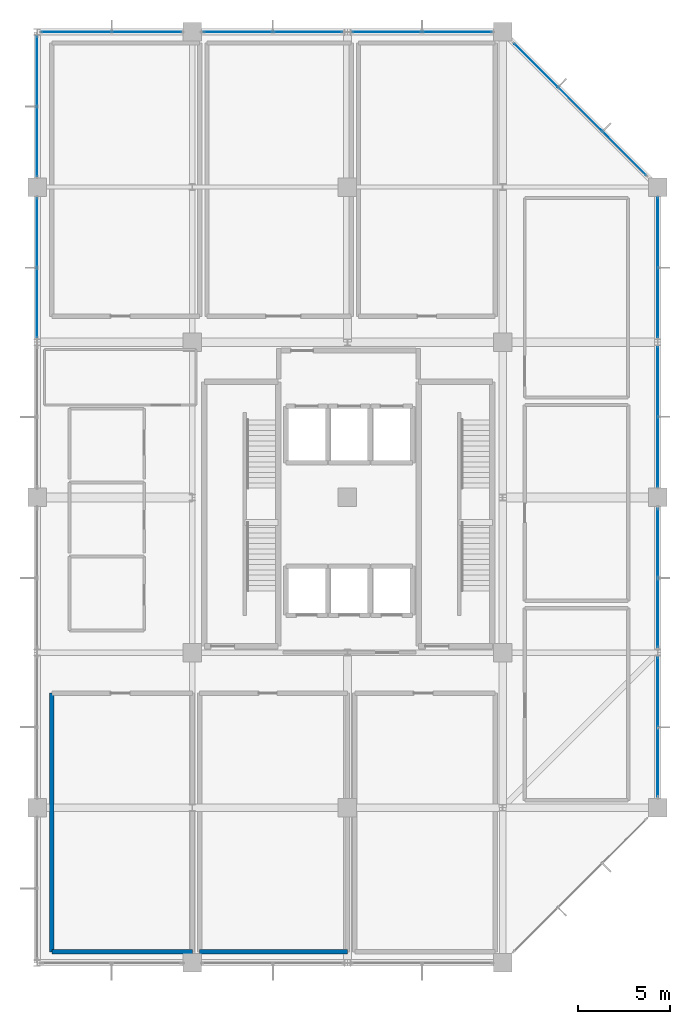
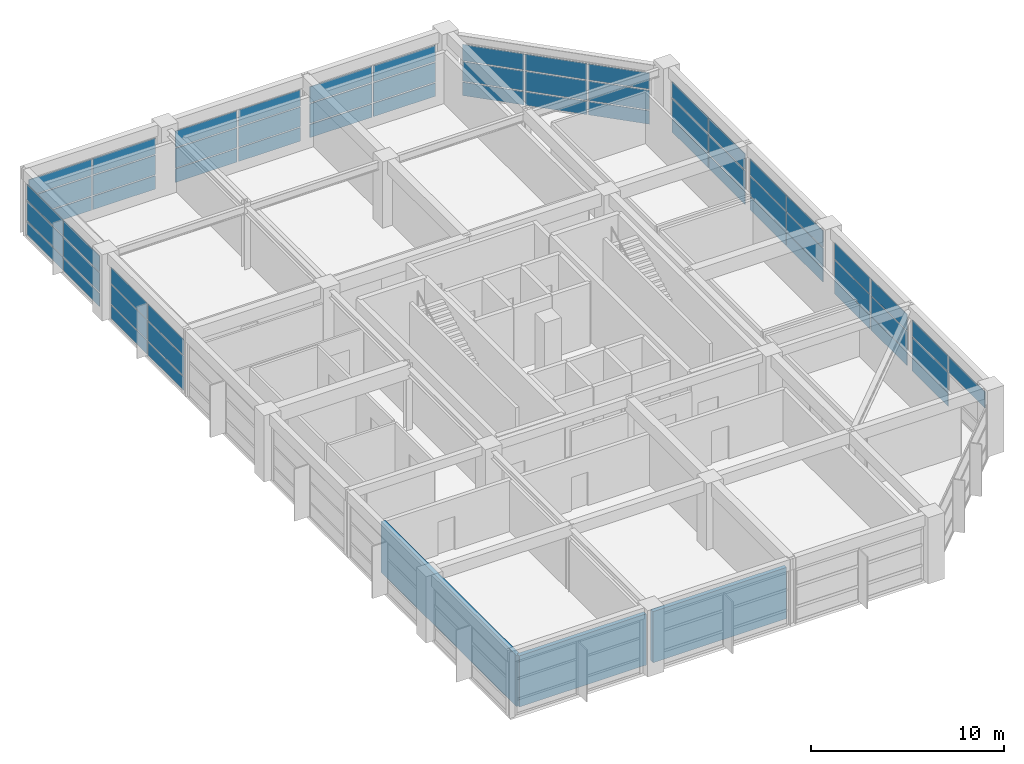
# One storey, part 11 of 15: 61 plates, 3 walls, 10 elements without a shape of their own.
"""IFC4 building model written with IfcOpenShell, lengths in metres."""

from ifc_helpers import new_model, si_unit, direction, frame, frame_2d, origin, origin_2d, place, context, subcontext, project, spatial, rectangle, extrude, material, layer, layer_set, type_object, element, aggregate, save


model = new_model("IFC4")

# Units and contexts
model_context = context("Model", 3, precision=1e-05, world=origin(), true_north=direction((0.0, 1.0)))
body_context = subcontext(model_context, "Body", "Model", "MODEL_VIEW")
ifc_project = project(units=[si_unit("LENGTHUNIT", "METRE"), si_unit("AREAUNIT", "SQUARE_METRE"), si_unit("VOLUMEUNIT", "CUBIC_METRE"), si_unit("PLANEANGLEUNIT", "RADIAN"), si_unit("MASSUNIT", "GRAM", prefix="KILO")], contexts=[model_context])

# Site, building, storey
site_placement = place(None, origin())
site = spatial("IfcSite", under=ifc_project, at=site_placement, CompositionType="ELEMENT")
building_placement = place(site_placement, origin())
building = spatial("IfcBuilding", under=site, at=building_placement, Name="Xuanlan Plaza Opera House", CompositionType="ELEMENT")
storey_placement = place(building_placement, frame((0.0, 0.0, 53.10009765625)))
storey = spatial("IfcBuildingStorey", under=building, at=storey_placement, Name="L12", CompositionType="ELEMENT", Elevation=53.10009765625)

# Curtain wall, plates
ifc_material_1 = material(Name="Anodised Aluminium 6063-T6 and Low-E Glass", Category="aluminium")
curtain_wall_type_1 = type_object("IfcCurtainWallType", Name="ENV-CW-CW-03", PredefinedType="USERDEFINED", material=ifc_material_1)
curtain_wall_1_placement = place(storey_placement, origin())
curtain_wall_1 = element("IfcCurtainWall", 1, at=curtain_wall_1_placement, inside=storey, type_object=curtain_wall_type_1, Name="Unitised Curtain Wall L12-009", ObjectType="UNITISED CURTAIN WALL", PredefinedType="USERDEFINED")
ifc_material_2 = material(Name="Laminated Acoustic Double Glazing", Category="glass")
ifc_layer_1 = layer(ifc_material_2, 0.028076171875)
ifc_layer_set_1 = layer_set([ifc_layer_1], Name="Laminated Acoustic Double Glazing")
plate_type_1 = type_object("IfcPlateType", Name="ENV-CWP-01", PredefinedType="CURTAIN_PANEL", material=ifc_layer_set_1)
plate_1_placement = place(storey_placement, frame((157.787353515625, 77.41259765625, 0.06982421875), z_axis=(0.0, 0.0, 1.0), x_axis=(-0.707106781187, 0.707106781187, 0.0)))
plate_1 = element("IfcPlate", 2, at=plate_1_placement, type_object=plate_type_1, Name="CW-03 panel 1.1", PredefinedType="CURTAIN_PANEL", context=body_context, shape_type="SweptSolid", body=[
    extrude(rectangle(XDim=3.282470703125, YDim=0.028076171875, at=origin_2d()), origin(), (0.0, 0.0, 1.0), 0.844970703125),
])
plate_2_placement = place(storey_placement, frame((157.787353515625, 77.41259765625, 0.98486328125), z_axis=(0.0, 0.0, 1.0), x_axis=(-0.707106781187, 0.707106781187, 0.0)))
plate_2 = element("IfcPlate", 3, at=plate_2_placement, type_object=plate_type_1, Name="CW-03 panel 1.2", PredefinedType="CURTAIN_PANEL", context=body_context, shape_type="SweptSolid", body=[
    extrude(rectangle(XDim=3.282470703125, YDim=0.028076171875, at=origin_2d()), origin(), (0.0, 0.0, 1.0), 1.22998046875),
])
plate_3_placement = place(storey_placement, frame((157.787353515625, 77.41259765625, 2.284912109375), z_axis=(0.0, 0.0, 1.0), x_axis=(-0.707106781187, 0.707106781187, 0.0)))
plate_3 = element("IfcPlate", 4, at=plate_3_placement, type_object=plate_type_1, Name="CW-03 panel 1.3", PredefinedType="CURTAIN_PANEL", context=body_context, shape_type="SweptSolid", body=[
    extrude(rectangle(XDim=3.282470703125, YDim=0.028076171875, at=origin_2d()), origin(), (0.0, 0.0, 1.0), 1.02490234375),
])
plate_4_placement = place(storey_placement, frame((155.39990234375, 79.800048828125, 0.06982421875), z_axis=(0.0, 0.0, 1.0), x_axis=(-0.707106781187, 0.707106781187, 0.0)))
plate_4 = element("IfcPlate", 5, at=plate_4_placement, type_object=plate_type_1, Name="CW-03 panel 2.1", PredefinedType="CURTAIN_PANEL", context=body_context, shape_type="SweptSolid", body=[
    extrude(rectangle(XDim=3.320068359375, YDim=0.028076171875, at=origin_2d()), origin(), (0.0, 0.0, 1.0), 0.844970703125),
])
plate_5_placement = place(storey_placement, frame((155.39990234375, 79.800048828125, 0.98486328125), z_axis=(0.0, 0.0, 1.0), x_axis=(-0.707106781187, 0.707106781187, 0.0)))
plate_5 = element("IfcPlate", 6, at=plate_5_placement, type_object=plate_type_1, Name="CW-03 panel 2.2", PredefinedType="CURTAIN_PANEL", context=body_context, shape_type="SweptSolid", body=[
    extrude(rectangle(XDim=3.320068359375, YDim=0.028076171875, at=origin_2d()), origin(), (0.0, 0.0, 1.0), 1.22998046875),
])
plate_6_placement = place(storey_placement, frame((155.39990234375, 79.800048828125, 2.284912109375), z_axis=(0.0, 0.0, 1.0), x_axis=(-0.707106781187, 0.707106781187, 0.0)))
plate_6 = element("IfcPlate", 7, at=plate_6_placement, type_object=plate_type_1, Name="CW-03 panel 2.3", PredefinedType="CURTAIN_PANEL", context=body_context, shape_type="SweptSolid", body=[
    extrude(rectangle(XDim=3.320068359375, YDim=0.028076171875, at=origin_2d()), origin(), (0.0, 0.0, 1.0), 1.02490234375),
])
plate_7_placement = place(storey_placement, frame((153.0126953125, 82.1875, 0.06982421875), z_axis=(0.0, 0.0, 1.0), x_axis=(-0.707106781187, 0.707106781187, 0.0)))
plate_7 = element("IfcPlate", 8, at=plate_7_placement, type_object=plate_type_1, Name="CW-03 panel 3.1", PredefinedType="CURTAIN_PANEL", context=body_context, shape_type="SweptSolid", body=[
    extrude(rectangle(XDim=3.282470703125, YDim=0.028076171875, at=origin_2d()), origin(), (0.0, 0.0, 1.0), 0.844970703125),
])
plate_8_placement = place(storey_placement, frame((153.0126953125, 82.1875, 0.98486328125), z_axis=(0.0, 0.0, 1.0), x_axis=(-0.707106781187, 0.707106781187, 0.0)))
plate_8 = element("IfcPlate", 9, at=plate_8_placement, type_object=plate_type_1, Name="CW-03 panel 3.2", PredefinedType="CURTAIN_PANEL", context=body_context, shape_type="SweptSolid", body=[
    extrude(rectangle(XDim=3.282470703125, YDim=0.028076171875, at=origin_2d()), origin(), (0.0, 0.0, 1.0), 1.22998046875),
])
plate_9_placement = place(storey_placement, frame((153.0126953125, 82.1875, 2.284912109375), z_axis=(0.0, 0.0, 1.0), x_axis=(-0.707106781187, 0.707106781187, 0.0)))
plate_9 = element("IfcPlate", 10, at=plate_9_placement, type_object=plate_type_1, Name="CW-03 panel 3.3", PredefinedType="CURTAIN_PANEL", context=body_context, shape_type="SweptSolid", body=[
    extrude(rectangle(XDim=3.282470703125, YDim=0.028076171875, at=origin_2d()), origin(), (0.0, 0.0, 1.0), 1.02490234375),
])
aggregate(curtain_wall_1, [plate_1, plate_2, plate_3, plate_4, plate_5, plate_6, plate_7, plate_8, plate_9])

curtain_wall_type_2 = type_object("IfcCurtainWallType", Name="ENV-CW-CW-04", PredefinedType="USERDEFINED", material=ifc_material_1)
curtain_wall_2_placement = place(storey_placement, origin())
curtain_wall_2 = element("IfcCurtainWall", 11, at=curtain_wall_2_placement, inside=storey, type_object=curtain_wall_type_2, Name="Unitised Curtain Wall L12-014", ObjectType="UNITISED CURTAIN WALL", PredefinedType="USERDEFINED")
plate_10_placement = place(storey_placement, frame((126.0, 73.139892578125, 0.06982421875), z_axis=(0.0, 0.0, 1.0), x_axis=(0.0, -1.0, 0.0)))
plate_10 = element("IfcPlate", 12, at=plate_10_placement, type_object=plate_type_1, Name="CW-04 panel 1.1", PredefinedType="CURTAIN_PANEL", context=body_context, shape_type="SweptSolid", body=[
    extrude(rectangle(XDim=3.72998046875, YDim=0.028076171875, at=origin_2d()), origin(), (0.0, 0.0, 1.0), 0.844970703125),
])
plate_11_placement = place(storey_placement, frame((126.0, 73.139892578125, 0.98486328125), z_axis=(0.0, 0.0, 1.0), x_axis=(0.0, -1.0, 0.0)))
plate_11 = element("IfcPlate", 13, at=plate_11_placement, type_object=plate_type_1, Name="CW-04 panel 1.2", PredefinedType="CURTAIN_PANEL", context=body_context, shape_type="SweptSolid", body=[
    extrude(rectangle(XDim=3.72998046875, YDim=0.028076171875, at=origin_2d()), origin(), (0.0, 0.0, 1.0), 1.22998046875),
])
plate_12_placement = place(storey_placement, frame((126.0, 73.139892578125, 2.284912109375), z_axis=(0.0, 0.0, 1.0), x_axis=(0.0, -1.0, 0.0)))
plate_12 = element("IfcPlate", 14, at=plate_12_placement, type_object=plate_type_1, Name="CW-04 panel 1.3", PredefinedType="CURTAIN_PANEL", context=body_context, shape_type="SweptSolid", body=[
    extrude(rectangle(XDim=3.72998046875, YDim=0.028076171875, at=origin_2d()), origin(), (0.0, 0.0, 1.0), 1.02490234375),
])
plate_13_placement = place(storey_placement, frame((126.0, 69.3349609375, 0.06982421875), z_axis=(0.0, 0.0, 1.0), x_axis=(0.0, -1.0, 0.0)))
plate_13 = element("IfcPlate", 15, at=plate_13_placement, type_object=plate_type_1, Name="CW-04 panel 2.1", PredefinedType="CURTAIN_PANEL", context=body_context, shape_type="SweptSolid", body=[
    extrude(rectangle(XDim=3.72998046875, YDim=0.028076171875, at=origin_2d()), origin(), (0.0, 0.0, 1.0), 0.844970703125),
])
plate_14_placement = place(storey_placement, frame((126.0, 69.3349609375, 0.98486328125), z_axis=(0.0, 0.0, 1.0), x_axis=(0.0, -1.0, 0.0)))
plate_14 = element("IfcPlate", 16, at=plate_14_placement, type_object=plate_type_1, Name="CW-04 panel 2.2", PredefinedType="CURTAIN_PANEL", context=body_context, shape_type="SweptSolid", body=[
    extrude(rectangle(XDim=3.72998046875, YDim=0.028076171875, at=origin_2d()), origin(), (0.0, 0.0, 1.0), 1.22998046875),
])
plate_15_placement = place(storey_placement, frame((126.0, 69.3349609375, 2.284912109375), z_axis=(0.0, 0.0, 1.0), x_axis=(0.0, -1.0, 0.0)))
plate_15 = element("IfcPlate", 17, at=plate_15_placement, type_object=plate_type_1, Name="CW-04 panel 2.3", PredefinedType="CURTAIN_PANEL", context=body_context, shape_type="SweptSolid", body=[
    extrude(rectangle(XDim=3.72998046875, YDim=0.028076171875, at=origin_2d()), origin(), (0.0, 0.0, 1.0), 1.02490234375),
])
aggregate(curtain_wall_2, [plate_10, plate_11, plate_12, plate_13, plate_14, plate_15])

curtain_wall_3_placement = place(storey_placement, origin())
curtain_wall_3 = element("IfcCurtainWall", 18, at=curtain_wall_3_placement, inside=storey, type_object=curtain_wall_type_2, Name="Unitised Curtain Wall L12-006", ObjectType="UNITISED CURTAIN WALL", PredefinedType="USERDEFINED")
ifc_layer_2 = layer(ifc_material_2, 0.031982421875)
ifc_layer_set_2 = layer_set([ifc_layer_2], Name="Laminated Acoustic Double Glazing")
plate_type_2 = type_object("IfcPlateType", Name="ENV-CWP-02", PredefinedType="CURTAIN_PANEL", material=ifc_layer_set_2)
plate_16_placement = place(storey_placement, frame((159.60009765625, 52.538818359375, 0.06494140625), z_axis=(0.0, 0.0, 1.0), x_axis=(0.0, 1.0, 0.0)))
plate_16 = element("IfcPlate", 19, at=plate_16_placement, type_object=plate_type_2, Name="CW-04 panel 1.1", PredefinedType="CURTAIN_PANEL", context=body_context, shape_type="SweptSolid", body=[
    extrude(rectangle(XDim=3.70751953125, YDim=0.031982421875, at=origin_2d()), origin(), (0.0, 0.0, 1.0), 0.8525390625),
])
plate_17_placement = place(storey_placement, frame((159.60009765625, 52.538818359375, 0.982421875), z_axis=(0.0, 0.0, 1.0), x_axis=(0.0, 1.0, 0.0)))
plate_17 = element("IfcPlate", 20, at=plate_17_placement, type_object=plate_type_2, Name="CW-04 panel 1.2", PredefinedType="CURTAIN_PANEL", context=body_context, shape_type="SweptSolid", body=[
    extrude(rectangle(XDim=3.70751953125, YDim=0.031982421875, at=origin_2d()), origin(), (0.0, 0.0, 1.0), 1.235107421875),
])
plate_18_placement = place(storey_placement, frame((159.60009765625, 52.538818359375, 2.2822265625), z_axis=(0.0, 0.0, 1.0), x_axis=(0.0, 1.0, 0.0)))
plate_18 = element("IfcPlate", 21, at=plate_18_placement, type_object=plate_type_2, Name="CW-04 panel 1.3", PredefinedType="CURTAIN_PANEL", context=body_context, shape_type="SweptSolid", body=[
    extrude(rectangle(XDim=3.70751953125, YDim=0.031982421875, at=origin_2d()), origin(), (0.0, 0.0, 1.0), 1.032470703125),
])
plate_19_placement = place(storey_placement, frame((159.60009765625, 56.336181640625, 0.06494140625), z_axis=(0.0, 0.0, 1.0), x_axis=(0.0, 1.0, 0.0)))
plate_19 = element("IfcPlate", 22, at=plate_19_placement, type_object=plate_type_2, Name="CW-04 panel 2.1", PredefinedType="CURTAIN_PANEL", context=body_context, shape_type="SweptSolid", body=[
    extrude(rectangle(XDim=3.70751953125, YDim=0.031982421875, at=origin_2d()), origin(), (0.0, 0.0, 1.0), 0.8525390625),
])
plate_20_placement = place(storey_placement, frame((159.60009765625, 56.336181640625, 0.982421875), z_axis=(0.0, 0.0, 1.0), x_axis=(0.0, 1.0, 0.0)))
plate_20 = element("IfcPlate", 23, at=plate_20_placement, type_object=plate_type_2, Name="CW-04 panel 2.2", PredefinedType="CURTAIN_PANEL", context=body_context, shape_type="SweptSolid", body=[
    extrude(rectangle(XDim=3.70751953125, YDim=0.031982421875, at=origin_2d()), origin(), (0.0, 0.0, 1.0), 1.235107421875),
])
plate_21_placement = place(storey_placement, frame((159.60009765625, 56.336181640625, 2.2822265625), z_axis=(0.0, 0.0, 1.0), x_axis=(0.0, 1.0, 0.0)))
plate_21 = element("IfcPlate", 24, at=plate_21_placement, type_object=plate_type_2, Name="CW-04 panel 2.3", PredefinedType="CURTAIN_PANEL", context=body_context, shape_type="SweptSolid", body=[
    extrude(rectangle(XDim=3.70751953125, YDim=0.031982421875, at=origin_2d()), origin(), (0.0, 0.0, 1.0), 1.032470703125),
])
aggregate(curtain_wall_3, [plate_16, plate_17, plate_18, plate_19, plate_20, plate_21])

curtain_wall_type_3 = type_object("IfcCurtainWallType", Name="ENV-CW-CW-01", PredefinedType="USERDEFINED", material=ifc_material_1)
curtain_wall_4_placement = place(storey_placement, origin())
curtain_wall_4 = element("IfcCurtainWall", 25, at=curtain_wall_4_placement, inside=storey, type_object=curtain_wall_type_3, Name="Unitised Curtain Wall L12-011", ObjectType="UNITISED CURTAIN WALL", PredefinedType="USERDEFINED")
plate_22_placement = place(storey_placement, frame((140.6611328125, 84.0, 0.06494140625), z_axis=(0.0, 0.0, 1.0), x_axis=(-1.0, 0.0, 0.0)))
plate_22 = element("IfcPlate", 26, at=plate_22_placement, type_object=plate_type_2, Name="CW-01 panel 1.1", PredefinedType="CURTAIN_PANEL", context=body_context, shape_type="SweptSolid", body=[
    extrude(rectangle(XDim=3.70751953125, YDim=0.031982421875, at=origin_2d()), origin(), (0.0, 0.0, 1.0), 0.8525390625),
])
plate_23_placement = place(storey_placement, frame((140.6611328125, 84.0, 0.982421875), z_axis=(0.0, 0.0, 1.0), x_axis=(-1.0, 0.0, 0.0)))
plate_23 = element("IfcPlate", 27, at=plate_23_placement, type_object=plate_type_2, Name="CW-01 panel 1.2", PredefinedType="CURTAIN_PANEL", context=body_context, shape_type="SweptSolid", body=[
    extrude(rectangle(XDim=3.70751953125, YDim=0.031982421875, at=origin_2d()), origin(), (0.0, 0.0, 1.0), 1.235107421875),
])
plate_24_placement = place(storey_placement, frame((140.6611328125, 84.0, 2.2822265625), z_axis=(0.0, 0.0, 1.0), x_axis=(-1.0, 0.0, 0.0)))
plate_24 = element("IfcPlate", 28, at=plate_24_placement, type_object=plate_type_2, Name="CW-01 panel 1.3", PredefinedType="CURTAIN_PANEL", context=body_context, shape_type="SweptSolid", body=[
    extrude(rectangle(XDim=3.70751953125, YDim=0.031982421875, at=origin_2d()), origin(), (0.0, 0.0, 1.0), 1.032470703125),
])
plate_25_placement = place(storey_placement, frame((136.86376953125, 84.0, 0.06494140625), z_axis=(0.0, 0.0, 1.0), x_axis=(-1.0, 0.0, 0.0)))
plate_25 = element("IfcPlate", 29, at=plate_25_placement, type_object=plate_type_2, Name="CW-01 panel 2.1", PredefinedType="CURTAIN_PANEL", context=body_context, shape_type="SweptSolid", body=[
    extrude(rectangle(XDim=3.70751953125, YDim=0.031982421875, at=origin_2d()), origin(), (0.0, 0.0, 1.0), 0.8525390625),
])
plate_26_placement = place(storey_placement, frame((136.86376953125, 84.0, 0.982421875), z_axis=(0.0, 0.0, 1.0), x_axis=(-1.0, 0.0, 0.0)))
plate_26 = element("IfcPlate", 30, at=plate_26_placement, type_object=plate_type_2, Name="CW-01 panel 2.2", PredefinedType="CURTAIN_PANEL", context=body_context, shape_type="SweptSolid", body=[
    extrude(rectangle(XDim=3.70751953125, YDim=0.031982421875, at=origin_2d()), origin(), (0.0, 0.0, 1.0), 1.235107421875),
])
plate_27_placement = place(storey_placement, frame((136.86376953125, 84.0, 2.2822265625), z_axis=(0.0, 0.0, 1.0), x_axis=(-1.0, 0.0, 0.0)))
plate_27 = element("IfcPlate", 31, at=plate_27_placement, type_object=plate_type_2, Name="CW-01 panel 2.3", PredefinedType="CURTAIN_PANEL", context=body_context, shape_type="SweptSolid", body=[
    extrude(rectangle(XDim=3.70751953125, YDim=0.031982421875, at=origin_2d()), origin(), (0.0, 0.0, 1.0), 1.032470703125),
])
aggregate(curtain_wall_4, [plate_22, plate_23, plate_24, plate_25, plate_26, plate_27])

curtain_wall_type_4 = type_object("IfcCurtainWallType", Name="ENV-CW-CW-02", PredefinedType="USERDEFINED", material=ifc_material_1)
curtain_wall_5_placement = place(storey_placement, origin())
curtain_wall_5 = element("IfcCurtainWall", 32, at=curtain_wall_5_placement, inside=storey, type_object=curtain_wall_type_4, Name="Unitised Curtain Wall L12-008", ObjectType="UNITISED CURTAIN WALL", PredefinedType="USERDEFINED")
ifc_layer_3 = layer(ifc_material_2, 0.035888671875)
ifc_layer_set_3 = layer_set([ifc_layer_3], Name="Laminated Acoustic Double Glazing")
plate_type_3 = type_object("IfcPlateType", Name="ENV-CWP-03", PredefinedType="CURTAIN_PANEL", material=ifc_layer_set_3)
plate_28_placement = place(storey_placement, frame((159.60009765625, 69.333740234375, 0.08984375), z_axis=(0.0, 0.0, 1.0), x_axis=(0.0, 1.0, 0.0)))
plate_28 = element("IfcPlate", 33, at=plate_28_placement, type_object=plate_type_3, Name="CW-02 panel 1.1", PredefinedType="CURTAIN_PANEL", context=body_context, shape_type="SweptSolid", body=[
    extrude(rectangle(XDim=3.737548828125, YDim=0.035888671875, at=origin_2d()), origin(), (0.0, 0.0, 1.0), 0.81494140625),
])
plate_29_placement = place(storey_placement, frame((159.60009765625, 69.333740234375, 0.994873046875), z_axis=(0.0, 0.0, 1.0), x_axis=(0.0, 1.0, 0.0)))
plate_29 = element("IfcPlate", 34, at=plate_29_placement, type_object=plate_type_3, Name="CW-02 panel 1.2", PredefinedType="CURTAIN_PANEL", context=body_context, shape_type="SweptSolid", body=[
    extrude(rectangle(XDim=3.737548828125, YDim=0.035888671875, at=origin_2d()), origin(), (0.0, 0.0, 1.0), 1.2099609375),
])
plate_30_placement = place(storey_placement, frame((159.60009765625, 69.333740234375, 2.294921875), z_axis=(0.0, 0.0, 1.0), x_axis=(0.0, 1.0, 0.0)))
plate_30 = element("IfcPlate", 35, at=plate_30_placement, type_object=plate_type_3, Name="CW-02 panel 1.3", PredefinedType="CURTAIN_PANEL", context=body_context, shape_type="SweptSolid", body=[
    extrude(rectangle(XDim=3.737548828125, YDim=0.035888671875, at=origin_2d()), origin(), (0.0, 0.0, 1.0), 0.9951171875),
])
plate_31_placement = place(storey_placement, frame((159.60009765625, 73.141357421875, 0.08984375), z_axis=(0.0, 0.0, 1.0), x_axis=(0.0, 1.0, 0.0)))
plate_31 = element("IfcPlate", 36, at=plate_31_placement, type_object=plate_type_3, Name="CW-02 panel 2.1", PredefinedType="CURTAIN_PANEL", context=body_context, shape_type="SweptSolid", body=[
    extrude(rectangle(XDim=3.737548828125, YDim=0.035888671875, at=origin_2d()), origin(), (0.0, 0.0, 1.0), 0.81494140625),
])
plate_32_placement = place(storey_placement, frame((159.60009765625, 73.141357421875, 0.994873046875), z_axis=(0.0, 0.0, 1.0), x_axis=(0.0, 1.0, 0.0)))
plate_32 = element("IfcPlate", 37, at=plate_32_placement, type_object=plate_type_3, Name="CW-02 panel 2.2", PredefinedType="CURTAIN_PANEL", context=body_context, shape_type="SweptSolid", body=[
    extrude(rectangle(XDim=3.737548828125, YDim=0.035888671875, at=origin_2d()), origin(), (0.0, 0.0, 1.0), 1.2099609375),
])
plate_33_placement = place(storey_placement, frame((159.60009765625, 73.141357421875, 2.294921875), z_axis=(0.0, 0.0, 1.0), x_axis=(0.0, 1.0, 0.0)))
plate_33 = element("IfcPlate", 38, at=plate_33_placement, type_object=plate_type_3, Name="CW-02 panel 2.3", PredefinedType="CURTAIN_PANEL", context=body_context, shape_type="SweptSolid", body=[
    extrude(rectangle(XDim=3.737548828125, YDim=0.035888671875, at=origin_2d()), origin(), (0.0, 0.0, 1.0), 0.9951171875),
])
aggregate(curtain_wall_5, [plate_28, plate_29, plate_30, plate_31, plate_32, plate_33])

curtain_wall_6_placement = place(storey_placement, origin())
curtain_wall_6 = element("IfcCurtainWall", 39, at=curtain_wall_6_placement, inside=storey, type_object=curtain_wall_type_1, Name="Unitised Curtain Wall L12-013", ObjectType="UNITISED CURTAIN WALL", PredefinedType="USERDEFINED")
plate_34_placement = place(storey_placement, frame((126.0, 81.8662109375, 0.08984375), z_axis=(0.0, 0.0, 1.0), x_axis=(0.0, -1.0, 0.0)))
plate_34 = element("IfcPlate", 40, at=plate_34_placement, type_object=plate_type_3, Name="CW-03 panel 1.1", PredefinedType="CURTAIN_PANEL", context=body_context, shape_type="SweptSolid", body=[
    extrude(rectangle(XDim=3.737548828125, YDim=0.035888671875, at=origin_2d()), origin(), (0.0, 0.0, 1.0), 0.81494140625),
])
plate_35_placement = place(storey_placement, frame((126.0, 81.8662109375, 0.994873046875), z_axis=(0.0, 0.0, 1.0), x_axis=(0.0, -1.0, 0.0)))
plate_35 = element("IfcPlate", 41, at=plate_35_placement, type_object=plate_type_3, Name="CW-03 panel 1.2", PredefinedType="CURTAIN_PANEL", context=body_context, shape_type="SweptSolid", body=[
    extrude(rectangle(XDim=3.737548828125, YDim=0.035888671875, at=origin_2d()), origin(), (0.0, 0.0, 1.0), 1.2099609375),
])
plate_36_placement = place(storey_placement, frame((126.0, 81.8662109375, 2.294921875), z_axis=(0.0, 0.0, 1.0), x_axis=(0.0, -1.0, 0.0)))
plate_36 = element("IfcPlate", 42, at=plate_36_placement, type_object=plate_type_3, Name="CW-03 panel 1.3", PredefinedType="CURTAIN_PANEL", context=body_context, shape_type="SweptSolid", body=[
    extrude(rectangle(XDim=3.737548828125, YDim=0.035888671875, at=origin_2d()), origin(), (0.0, 0.0, 1.0), 0.9951171875),
])
plate_37_placement = place(storey_placement, frame((126.0, 78.058837890625, 0.08984375), z_axis=(0.0, 0.0, 1.0), x_axis=(0.0, -1.0, 0.0)))
plate_37 = element("IfcPlate", 43, at=plate_37_placement, type_object=plate_type_3, Name="CW-03 panel 2.1", PredefinedType="CURTAIN_PANEL", context=body_context, shape_type="SweptSolid", body=[
    extrude(rectangle(XDim=3.737548828125, YDim=0.035888671875, at=origin_2d()), origin(), (0.0, 0.0, 1.0), 0.81494140625),
])
plate_38_placement = place(storey_placement, frame((126.0, 78.058837890625, 0.994873046875), z_axis=(0.0, 0.0, 1.0), x_axis=(0.0, -1.0, 0.0)))
plate_38 = element("IfcPlate", 44, at=plate_38_placement, type_object=plate_type_3, Name="CW-03 panel 2.2", PredefinedType="CURTAIN_PANEL", context=body_context, shape_type="SweptSolid", body=[
    extrude(rectangle(XDim=3.737548828125, YDim=0.035888671875, at=origin_2d()), origin(), (0.0, 0.0, 1.0), 1.2099609375),
])
plate_39_placement = place(storey_placement, frame((126.0, 78.058837890625, 2.294921875), z_axis=(0.0, 0.0, 1.0), x_axis=(0.0, -1.0, 0.0)))
plate_39 = element("IfcPlate", 45, at=plate_39_placement, type_object=plate_type_3, Name="CW-03 panel 2.3", PredefinedType="CURTAIN_PANEL", context=body_context, shape_type="SweptSolid", body=[
    extrude(rectangle(XDim=3.737548828125, YDim=0.035888671875, at=origin_2d()), origin(), (0.0, 0.0, 1.0), 0.9951171875),
])
aggregate(curtain_wall_6, [plate_34, plate_35, plate_36, plate_37, plate_38, plate_39])

curtain_wall_7_placement = place(storey_placement, origin())
curtain_wall_7 = element("IfcCurtainWall", 46, at=curtain_wall_7_placement, inside=storey, type_object=curtain_wall_type_1, Name="Unitised Curtain Wall L12-005", ObjectType="UNITISED CURTAIN WALL", PredefinedType="USERDEFINED")
ifc_layer_4 = layer(ifc_material_2, 0.0400390625)
ifc_layer_set_4 = layer_set([ifc_layer_4], Name="Laminated Acoustic Double Glazing")
plate_type_4 = type_object("IfcPlateType", Name="ENV-CWP-04", PredefinedType="CURTAIN_PANEL", material=ifc_layer_set_4)
plate_40_placement = place(storey_placement, frame((159.60009765625, 44.461181640625, 2.2900390625), z_axis=(0.0, 0.0, 1.0), x_axis=(0.0, 1.0, 0.0)))
plate_40 = element("IfcPlate", 47, at=plate_40_placement, type_object=plate_type_4, Name="CW-03 panel 1.3", PredefinedType="CURTAIN_PANEL", context=body_context, shape_type="SweptSolid", body=[
    extrude(rectangle(XDim=3.722412109375, YDim=0.0400390625, at=origin_2d()), origin(), (0.0, 0.0, 1.0), 1.010009765625),
])
plate_41_placement = place(storey_placement, frame((159.60009765625, 48.263671875, 0.079833984375), z_axis=(0.0, 0.0, 1.0), x_axis=(0.0, 1.0, 0.0)))
plate_41 = element("IfcPlate", 48, at=plate_41_placement, type_object=plate_type_4, Name="CW-03 panel 2.1", PredefinedType="CURTAIN_PANEL", context=body_context, shape_type="SweptSolid", body=[
    extrude(rectangle(XDim=3.722412109375, YDim=0.0400390625, at=origin_2d()), origin(), (0.0, 0.0, 1.0), 0.830078125),
])
plate_42_placement = place(storey_placement, frame((159.60009765625, 48.263671875, 0.98974609375), z_axis=(0.0, 0.0, 1.0), x_axis=(0.0, 1.0, 0.0)))
plate_42 = element("IfcPlate", 49, at=plate_42_placement, type_object=plate_type_4, Name="CW-03 panel 2.2", PredefinedType="CURTAIN_PANEL", context=body_context, shape_type="SweptSolid", body=[
    extrude(rectangle(XDim=3.722412109375, YDim=0.0400390625, at=origin_2d()), origin(), (0.0, 0.0, 1.0), 1.219970703125),
])
plate_43_placement = place(storey_placement, frame((159.60009765625, 48.263671875, 2.2900390625), z_axis=(0.0, 0.0, 1.0), x_axis=(0.0, 1.0, 0.0)))
plate_43 = element("IfcPlate", 50, at=plate_43_placement, type_object=plate_type_4, Name="CW-03 panel 2.3", PredefinedType="CURTAIN_PANEL", context=body_context, shape_type="SweptSolid", body=[
    extrude(rectangle(XDim=3.722412109375, YDim=0.0400390625, at=origin_2d()), origin(), (0.0, 0.0, 1.0), 1.010009765625),
])
aggregate(curtain_wall_7, [plate_40, plate_41, plate_42, plate_43])

curtain_wall_8_placement = place(storey_placement, origin())
curtain_wall_8 = element("IfcCurtainWall", 51, at=curtain_wall_8_placement, inside=storey, type_object=curtain_wall_type_2, Name="Unitised Curtain Wall L12-010", ObjectType="UNITISED CURTAIN WALL", PredefinedType="USERDEFINED")
plate_44_placement = place(storey_placement, frame((148.73876953125, 84.0, 0.079833984375), z_axis=(0.0, 0.0, 1.0), x_axis=(-1.0, 0.0, 0.0)))
plate_44 = element("IfcPlate", 52, at=plate_44_placement, type_object=plate_type_4, Name="CW-04 panel 1.1", PredefinedType="CURTAIN_PANEL", context=body_context, shape_type="SweptSolid", body=[
    extrude(rectangle(XDim=3.722412109375, YDim=0.0400390625, at=origin_2d()), origin(), (0.0, 0.0, 1.0), 0.830078125),
])
plate_45_placement = place(storey_placement, frame((148.73876953125, 84.0, 0.98974609375), z_axis=(0.0, 0.0, 1.0), x_axis=(-1.0, 0.0, 0.0)))
plate_45 = element("IfcPlate", 53, at=plate_45_placement, type_object=plate_type_4, Name="CW-04 panel 1.2", PredefinedType="CURTAIN_PANEL", context=body_context, shape_type="SweptSolid", body=[
    extrude(rectangle(XDim=3.722412109375, YDim=0.0400390625, at=origin_2d()), origin(), (0.0, 0.0, 1.0), 1.219970703125),
])
plate_46_placement = place(storey_placement, frame((148.73876953125, 84.0, 2.2900390625), z_axis=(0.0, 0.0, 1.0), x_axis=(-1.0, 0.0, 0.0)))
plate_46 = element("IfcPlate", 54, at=plate_46_placement, type_object=plate_type_4, Name="CW-04 panel 1.3", PredefinedType="CURTAIN_PANEL", context=body_context, shape_type="SweptSolid", body=[
    extrude(rectangle(XDim=3.722412109375, YDim=0.0400390625, at=origin_2d()), origin(), (0.0, 0.0, 1.0), 1.010009765625),
])
plate_47_placement = place(storey_placement, frame((144.936279296875, 84.0, 0.079833984375), z_axis=(0.0, 0.0, 1.0), x_axis=(-1.0, 0.0, 0.0)))
plate_47 = element("IfcPlate", 55, at=plate_47_placement, type_object=plate_type_4, Name="CW-04 panel 2.1", PredefinedType="CURTAIN_PANEL", context=body_context, shape_type="SweptSolid", body=[
    extrude(rectangle(XDim=3.722412109375, YDim=0.0400390625, at=origin_2d()), origin(), (0.0, 0.0, 1.0), 0.830078125),
])
plate_48_placement = place(storey_placement, frame((144.936279296875, 84.0, 0.98974609375), z_axis=(0.0, 0.0, 1.0), x_axis=(-1.0, 0.0, 0.0)))
plate_48 = element("IfcPlate", 56, at=plate_48_placement, type_object=plate_type_4, Name="CW-04 panel 2.2", PredefinedType="CURTAIN_PANEL", context=body_context, shape_type="SweptSolid", body=[
    extrude(rectangle(XDim=3.722412109375, YDim=0.0400390625, at=origin_2d()), origin(), (0.0, 0.0, 1.0), 1.219970703125),
])
plate_49_placement = place(storey_placement, frame((144.936279296875, 84.0, 2.2900390625), z_axis=(0.0, 0.0, 1.0), x_axis=(-1.0, 0.0, 0.0)))
plate_49 = element("IfcPlate", 57, at=plate_49_placement, type_object=plate_type_4, Name="CW-04 panel 2.3", PredefinedType="CURTAIN_PANEL", context=body_context, shape_type="SweptSolid", body=[
    extrude(rectangle(XDim=3.722412109375, YDim=0.0400390625, at=origin_2d()), origin(), (0.0, 0.0, 1.0), 1.010009765625),
])
aggregate(curtain_wall_8, [plate_44, plate_45, plate_46, plate_47, plate_48, plate_49])

curtain_wall_9_placement = place(storey_placement, origin())
curtain_wall_9 = element("IfcCurtainWall", 58, at=curtain_wall_9_placement, inside=storey, type_object=curtain_wall_type_3, Name="Unitised Curtain Wall L12-007", ObjectType="UNITISED CURTAIN WALL", PredefinedType="USERDEFINED")
ifc_layer_5 = layer(ifc_material_2, 0.0439453125)
ifc_layer_set_5 = layer_set([ifc_layer_5], Name="Laminated Acoustic Double Glazing")
plate_type_5 = type_object("IfcPlateType", Name="ENV-CWP-05", PredefinedType="CURTAIN_PANEL", material=ifc_layer_set_5)
plate_50_placement = place(storey_placement, frame((159.60009765625, 61.257568359375, 0.074951171875), z_axis=(0.0, 0.0, 1.0), x_axis=(0.0, 1.0, 0.0)))
plate_50 = element("IfcPlate", 59, at=plate_50_placement, type_object=plate_type_5, Name="CW-01 panel 1.1", PredefinedType="CURTAIN_PANEL", context=body_context, shape_type="SweptSolid", body=[
    extrude(rectangle(XDim=3.7451171875, YDim=0.0439453125, at=origin_2d()), origin(), (0.0, 0.0, 1.0), 0.83740234375),
])
plate_51_placement = place(storey_placement, frame((159.60009765625, 61.257568359375, 0.9873046875), z_axis=(0.0, 0.0, 1.0), x_axis=(0.0, 1.0, 0.0)))
plate_51 = element("IfcPlate", 60, at=plate_51_placement, type_object=plate_type_5, Name="CW-01 panel 1.2", PredefinedType="CURTAIN_PANEL", context=body_context, shape_type="SweptSolid", body=[
    extrude(rectangle(XDim=3.7451171875, YDim=0.0439453125, at=origin_2d()), origin(), (0.0, 0.0, 1.0), 1.22509765625),
])
plate_52_placement = place(storey_placement, frame((159.60009765625, 61.257568359375, 2.287353515625), z_axis=(0.0, 0.0, 1.0), x_axis=(0.0, 1.0, 0.0)))
plate_52 = element("IfcPlate", 61, at=plate_52_placement, type_object=plate_type_5, Name="CW-01 panel 1.3", PredefinedType="CURTAIN_PANEL", context=body_context, shape_type="SweptSolid", body=[
    extrude(rectangle(XDim=3.7451171875, YDim=0.0439453125, at=origin_2d()), origin(), (0.0, 0.0, 1.0), 1.017578125),
])
plate_53_placement = place(storey_placement, frame((159.60009765625, 65.0673828125, 0.074951171875), z_axis=(0.0, 0.0, 1.0), x_axis=(0.0, 1.0, 0.0)))
plate_53 = element("IfcPlate", 62, at=plate_53_placement, type_object=plate_type_5, Name="CW-01 panel 2.1", PredefinedType="CURTAIN_PANEL", context=body_context, shape_type="SweptSolid", body=[
    extrude(rectangle(XDim=3.7451171875, YDim=0.0439453125, at=origin_2d()), origin(), (0.0, 0.0, 1.0), 0.83740234375),
])
plate_54_placement = place(storey_placement, frame((159.60009765625, 65.0673828125, 0.9873046875), z_axis=(0.0, 0.0, 1.0), x_axis=(0.0, 1.0, 0.0)))
plate_54 = element("IfcPlate", 63, at=plate_54_placement, type_object=plate_type_5, Name="CW-01 panel 2.2", PredefinedType="CURTAIN_PANEL", context=body_context, shape_type="SweptSolid", body=[
    extrude(rectangle(XDim=3.7451171875, YDim=0.0439453125, at=origin_2d()), origin(), (0.0, 0.0, 1.0), 1.22509765625),
])
plate_55_placement = place(storey_placement, frame((159.60009765625, 65.0673828125, 2.287353515625), z_axis=(0.0, 0.0, 1.0), x_axis=(0.0, 1.0, 0.0)))
plate_55 = element("IfcPlate", 64, at=plate_55_placement, type_object=plate_type_5, Name="CW-01 panel 2.3", PredefinedType="CURTAIN_PANEL", context=body_context, shape_type="SweptSolid", body=[
    extrude(rectangle(XDim=3.7451171875, YDim=0.0439453125, at=origin_2d()), origin(), (0.0, 0.0, 1.0), 1.017578125),
])
aggregate(curtain_wall_9, [plate_50, plate_51, plate_52, plate_53, plate_54, plate_55])

curtain_wall_10_placement = place(storey_placement, origin())
curtain_wall_10 = element("IfcCurtainWall", 65, at=curtain_wall_10_placement, inside=storey, type_object=curtain_wall_type_4, Name="Unitised Curtain Wall L12-012", ObjectType="UNITISED CURTAIN WALL", PredefinedType="USERDEFINED")
plate_56_placement = place(storey_placement, frame((131.9423828125, 84.0, 0.074951171875), z_axis=(0.0, 0.0, 1.0), x_axis=(-1.0, 0.0, 0.0)))
plate_56 = element("IfcPlate", 66, at=plate_56_placement, type_object=plate_type_5, Name="CW-02 panel 1.1", PredefinedType="CURTAIN_PANEL", context=body_context, shape_type="SweptSolid", body=[
    extrude(rectangle(XDim=3.7451171875, YDim=0.0439453125, at=origin_2d()), origin(), (0.0, 0.0, 1.0), 0.83740234375),
])
plate_57_placement = place(storey_placement, frame((131.9423828125, 84.0, 0.9873046875), z_axis=(0.0, 0.0, 1.0), x_axis=(-1.0, 0.0, 0.0)))
plate_57 = element("IfcPlate", 67, at=plate_57_placement, type_object=plate_type_5, Name="CW-02 panel 1.2", PredefinedType="CURTAIN_PANEL", context=body_context, shape_type="SweptSolid", body=[
    extrude(rectangle(XDim=3.7451171875, YDim=0.0439453125, at=origin_2d()), origin(), (0.0, 0.0, 1.0), 1.22509765625),
])
plate_58_placement = place(storey_placement, frame((131.9423828125, 84.0, 2.287353515625), z_axis=(0.0, 0.0, 1.0), x_axis=(-1.0, 0.0, 0.0)))
plate_58 = element("IfcPlate", 68, at=plate_58_placement, type_object=plate_type_5, Name="CW-02 panel 1.3", PredefinedType="CURTAIN_PANEL", context=body_context, shape_type="SweptSolid", body=[
    extrude(rectangle(XDim=3.7451171875, YDim=0.0439453125, at=origin_2d()), origin(), (0.0, 0.0, 1.0), 1.017578125),
])
plate_59_placement = place(storey_placement, frame((128.132568359375, 84.0, 0.074951171875), z_axis=(0.0, 0.0, 1.0), x_axis=(-1.0, 0.0, 0.0)))
plate_59 = element("IfcPlate", 69, at=plate_59_placement, type_object=plate_type_5, Name="CW-02 panel 2.1", PredefinedType="CURTAIN_PANEL", context=body_context, shape_type="SweptSolid", body=[
    extrude(rectangle(XDim=3.7451171875, YDim=0.0439453125, at=origin_2d()), origin(), (0.0, 0.0, 1.0), 0.83740234375),
])
plate_60_placement = place(storey_placement, frame((128.132568359375, 84.0, 0.9873046875), z_axis=(0.0, 0.0, 1.0), x_axis=(-1.0, 0.0, 0.0)))
plate_60 = element("IfcPlate", 70, at=plate_60_placement, type_object=plate_type_5, Name="CW-02 panel 2.2", PredefinedType="CURTAIN_PANEL", context=body_context, shape_type="SweptSolid", body=[
    extrude(rectangle(XDim=3.7451171875, YDim=0.0439453125, at=origin_2d()), origin(), (0.0, 0.0, 1.0), 1.22509765625),
])
plate_61_placement = place(storey_placement, frame((128.132568359375, 84.0, 2.287353515625), z_axis=(0.0, 0.0, 1.0), x_axis=(-1.0, 0.0, 0.0)))
plate_61 = element("IfcPlate", 71, at=plate_61_placement, type_object=plate_type_5, Name="CW-02 panel 2.3", PredefinedType="CURTAIN_PANEL", context=body_context, shape_type="SweptSolid", body=[
    extrude(rectangle(XDim=3.7451171875, YDim=0.0439453125, at=origin_2d()), origin(), (0.0, 0.0, 1.0), 1.017578125),
])
aggregate(curtain_wall_10, [plate_56, plate_57, plate_58, plate_59, plate_60, plate_61])

# Walls
ifc_material_3 = material(Name="Gypsum Board and Galvanised Steel Studs", Category="gypsum")
ifc_layer_6 = layer(ifc_material_3, 0.239990234375)
ifc_layer_set_6 = layer_set([ifc_layer_6], Name="Gypsum Board and Galvanised Steel Studs")
wall_type = type_object("IfcWallType", Name="INT-WL-PW-01", PredefinedType="PARTITIONING", material=ifc_layer_set_6)
wall_1_placement = place(storey_placement, frame((126.800048828125, 34.199951171875, 0.0), z_axis=(0.0, 0.0, 1.0), x_axis=(1.0, 0.0, 0.0)))
element("IfcWall", 72, at=wall_1_placement, inside=storey, type_object=wall_type, Name="Conservatoire Practice Studio 1 Wall South", PredefinedType="PARTITIONING", context=body_context, shape_type="SweptSolid", body=[
    extrude(rectangle(XDim=7.599853515625, YDim=0.239990234375, at=frame_2d((3.7998046875, 0.0))), origin(), (0.0, 0.0, 1.0), 3.239990234375),
])
wall_2_placement = place(storey_placement, frame((126.800048828125, 34.199951171875, 0.0), z_axis=(0.0, 0.0, 1.0), x_axis=(0.0, 1.0, 0.0)))
element("IfcWall", 73, at=wall_2_placement, inside=storey, type_object=wall_type, Name="Conservatoire Practice Studio 1 Wall West", PredefinedType="PARTITIONING", context=body_context, shape_type="SweptSolid", body=[
    extrude(rectangle(XDim=14.0, YDim=0.239990234375, at=frame_2d((7.0, 0.0))), origin(), (0.0, 0.0, 1.0), 3.239990234375),
])
wall_3_placement = place(storey_placement, frame((134.800048828125, 34.199951171875, 0.0), z_axis=(0.0, 0.0, 1.0), x_axis=(1.0, 0.0, 0.0)))
element("IfcWall", 74, at=wall_3_placement, inside=storey, type_object=wall_type, Name="Conservatoire Practice Studio 2 Wall South", PredefinedType="PARTITIONING", context=body_context, shape_type="SweptSolid", body=[
    extrude(rectangle(XDim=8.0, YDim=0.239990234375, at=frame_2d((4.0, 0.0))), origin(), (0.0, 0.0, 1.0), 3.239990234375),
])

save(model, "model.ifc")
